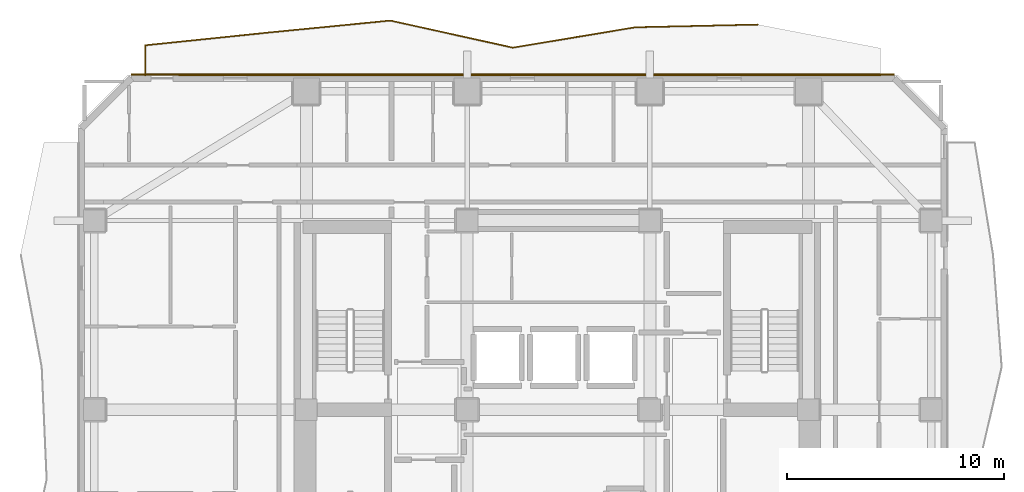
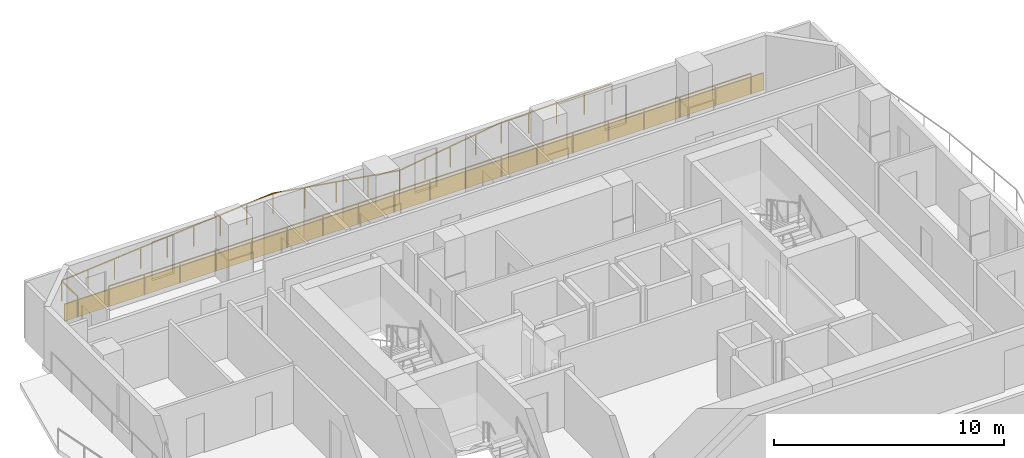
# One storey, part 11 of 11: 2 railings, 1 covering.
"""IFC4 building model written with IfcOpenShell, lengths in metres."""

import ifcopenshell
import ifcopenshell.guid

model = None  # the IFC model being written
_history = None  # IfcOwnerHistory: only IFC2X3 demands one
_inside = {}  # id of a spatial element -> (the spatial element, [elements in it])
_under = {}  # id of a project, library or spatial element -> (it, [spatial elements below it])
_declared = {}  # id of a project -> (the project, [libraries it declares])
_typed = {}  # id of a type object -> (the type object, [elements of that type])
_made_of = {}  # id of a material, layer set ... -> (it, [elements and type objects made of it])


def new_model(schema):
    """Start an empty IFC model of exactly this schema.

    Asked for "IFC4X3", IfcOpenShell would pick the latest addendum, in which some entities
    have other attributes; the version numbers below select the first issue.
    IFC2X3 requires an IfcOwnerHistory on every rooted entity: one is made here for all.
    """
    global model, _history
    if schema == "IFC4X3":
        model = ifcopenshell.file(schema_version=(4, 3, 0, 0))
    else:
        model = ifcopenshell.file(schema=schema)
    _inside.clear()
    _under.clear()
    _declared.clear()
    _typed.clear()
    _made_of.clear()
    _history = None
    if model.schema == "IFC2X3":
        org = make("IfcOrganization", Name="unknown")
        user = make(
            "IfcPersonAndOrganization",
            ThePerson=make("IfcPerson", FamilyName="unknown"),
            TheOrganization=org,
        )
        app = make(
            "IfcApplication",
            ApplicationDeveloper=org,
            Version="unknown",
            ApplicationFullName="unknown",
            ApplicationIdentifier="unknown",
        )
        _history = make(
            "IfcOwnerHistory",
            OwningUser=user,
            OwningApplication=app,
            ChangeAction="ADDED",
            CreationDate=0,
        )
    return model


def make(cls, **values):
    """One entity of the class cls with the attributes given. An attribute that is None is left unset."""
    return model.create_entity(
        cls, **{name: value for name, value in values.items() if value is not None}
    )


def rooted(cls, **values):
    """An entity with a GlobalId (a new one), such as an element, a storey or a relation."""
    return make(cls, GlobalId=ifcopenshell.guid.new(), OwnerHistory=_history, **values)


def si_unit(unit_type, name, prefix=None):
    """IfcSIUnit, for example si_unit("LENGTHUNIT", "METRE", prefix="MILLI")."""
    return make("IfcSIUnit", UnitType=unit_type, Prefix=prefix, Name=name)


def assignment(units):
    """IfcUnitAssignment: the units of a project."""
    return None if units is None else make("IfcUnitAssignment", Units=units)


def point(xyz):
    """IfcCartesianPoint."""
    return None if xyz is None else make("IfcCartesianPoint", Coordinates=xyz)


def direction(xyz):
    """IfcDirection."""
    return None if xyz is None else make("IfcDirection", DirectionRatios=xyz)


def frame(location, z_axis=None, x_axis=None):
    """IfcAxis2Placement3D, a coordinate frame: its origin and axes. An axis left out is left unset."""
    return make(
        "IfcAxis2Placement3D",
        Location=point(location),
        Axis=direction(z_axis),
        RefDirection=direction(x_axis),
    )


def frame_2d(location, x_axis=None):
    """IfcAxis2Placement2D, a coordinate frame in the plane: its origin and x axis."""
    return make(
        "IfcAxis2Placement2D", Location=point(location), RefDirection=direction(x_axis)
    )


def origin():
    """The frame at (0, 0, 0) with its axes left unset."""
    return frame((0.0, 0.0, 0.0))


def origin_2d():
    """The frame at (0, 0) in the plane with its x axis left unset."""
    return frame_2d((0.0, 0.0))


def place(relative_to, where):
    """IfcLocalPlacement: puts the frame where relative to a parent placement (None: the world)."""
    return make(
        "IfcLocalPlacement", PlacementRelTo=relative_to, RelativePlacement=where
    )


def context(
    kind, dimensions, precision=None, world=None, true_north=None, identifier=None
):
    """IfcGeometricRepresentationContext, for example the 3D "Model" context."""
    return make(
        "IfcGeometricRepresentationContext",
        ContextIdentifier=identifier,
        ContextType=kind,
        CoordinateSpaceDimension=dimensions,
        Precision=precision,
        WorldCoordinateSystem=world,
        TrueNorth=true_north,
    )


def subcontext(parent, identifier, kind, view, scale=None):
    """IfcGeometricRepresentationSubContext, for example "Body" below "Model"."""
    return make(
        "IfcGeometricRepresentationSubContext",
        ContextIdentifier=identifier,
        ContextType=kind,
        ParentContext=parent,
        TargetScale=scale,
        TargetView=view,
    )


def project(units=None, contexts=None):
    """IfcProject with its units and contexts."""
    return rooted(
        "IfcProject",
        Name="project",
        RepresentationContexts=contexts,
        UnitsInContext=assignment(units),
    )


def spatial(cls, under=None, at=None, **own):
    """A site, building, storey or space (cls), placed at a placement, below another one or the project."""
    s = rooted(cls, ObjectPlacement=at, **own)
    if under is not None:
        _under.setdefault(under.id(), (under, []))[1].append(s)
    return s


def profile(cls, at=None, kind="AREA", **sizes):
    """A parametric profile (cls). Its sizes go by their IFC names, for example OverallWidth=200.0."""
    return make(cls, ProfileType=kind, Position=at, **sizes)


def rectangle(**sizes):
    """IfcRectangleProfileDef."""
    return profile("IfcRectangleProfileDef", **sizes)


def extrude(swept, where, along, depth):
    """IfcExtrudedAreaSolid: the profile swept, set in the frame where, extruded along a direction by depth."""
    return make(
        "IfcExtrudedAreaSolid",
        SweptArea=swept,
        Position=where,
        ExtrudedDirection=direction(along),
        Depth=depth,
    )


def shape(context_of_items, identifier, shape_type, items):
    """IfcShapeRepresentation: the items that make up one representation, for example the "Body"."""
    return make(
        "IfcShapeRepresentation",
        ContextOfItems=context_of_items,
        RepresentationIdentifier=identifier,
        RepresentationType=shape_type,
        Items=items,
    )


def material(Name=None, Category=None):
    """IfcMaterial."""
    return make("IfcMaterial", Name=Name, Category=Category)


def layer(
    of_material, thickness, ventilated=None, Name=None, Category=None, Priority=None
):
    """IfcMaterialLayer: one layer of a wall or slab, of a material (None: an air gap)."""
    return make(
        "IfcMaterialLayer",
        Material=of_material,
        LayerThickness=thickness,
        IsVentilated=ventilated,
        Name=Name,
        Category=Category,
        Priority=Priority,
    )


def layer_set(layers, Name=None):
    """IfcMaterialLayerSet."""
    return make("IfcMaterialLayerSet", MaterialLayers=layers, LayerSetName=Name)


def made_of(thing, what):
    """Note that an element or type object is made of a material, layer set ...; save() writes the relation."""
    if what is not None:
        _made_of.setdefault(what.id(), (what, []))[1].append(thing)
    return thing


def type_object(cls, material=None, **own):
    """A type object (cls), such as IfcWallType, which elements share."""
    return made_of(rooted(cls, **own), material)


def element(
    cls,
    number,
    at=None,
    inside=None,
    cuts=None,
    type_object=None,
    material=None,
    context=None,
    identifier="Body",
    shape_type=None,
    held_by="IfcProductDefinitionShape",
    body=None,
    shapes=None,
    **own,
):
    """One element of the class cls, such as IfcWall. Its Tag is "e" and its number.

    at: its placement. inside: the storey or other place that contains it. cuts: it is an
    opening in that element (IfcRelVoidsElement). A single representation is given by context,
    identifier, shape_type and body (its items); several are given by shapes. held_by: the class
    of the entity that holds the representations. save() writes the other relations.
    """
    e = rooted(cls, Tag="e%d" % number, ObjectPlacement=at, **own)
    if body is not None:
        shapes = [shape(context, identifier, shape_type, body)]
    if shapes is not None:
        e.Representation = make(held_by, Representations=shapes)
    if inside is not None:
        _inside.setdefault(inside.id(), (inside, []))[1].append(e)
    if cuts is not None:
        rooted(
            "IfcRelVoidsElement", RelatingBuildingElement=cuts, RelatedOpeningElement=e
        )
    if type_object is not None:
        _typed.setdefault(type_object.id(), (type_object, []))[1].append(e)
    return made_of(e, material)


def aggregate(whole, parts):
    """IfcRelAggregates: a whole, such as a stair, and the parts it consists of."""
    return rooted("IfcRelAggregates", RelatingObject=whole, RelatedObjects=parts)


def save(model, path):
    """Write the relations noted so far, then the file.

    IfcRelAggregates (storeys below a building ...), IfcRelContainedInSpatialStructure (elements
    in a storey), IfcRelDefinesByType, IfcRelAssociatesMaterial and IfcRelDeclares: one each for
    every whole, place, type object, material and project.
    """
    for whole, parts in _under.values():
        aggregate(whole, parts)
    for where, things in _inside.values():
        rooted(
            "IfcRelContainedInSpatialStructure",
            RelatedElements=things,
            RelatingStructure=where,
        )
    for kind, things in _typed.values():
        rooted("IfcRelDefinesByType", RelatedObjects=things, RelatingType=kind)
    for what, things in _made_of.values():
        rooted("IfcRelAssociatesMaterial", RelatedObjects=things, RelatingMaterial=what)
    for by, libraries in _declared.values():
        rooted("IfcRelDeclares", RelatingContext=by, RelatedDefinitions=libraries)
    model.write(path)


model = new_model("IFC4")

# Units and contexts
model_context = context("Model", 3, precision=1e-05, world=origin(), true_north=direction((0.0, 1.0)))
body_context = subcontext(model_context, "Body", "Model", "MODEL_VIEW")
ifc_project = project(units=[si_unit("LENGTHUNIT", "METRE"), si_unit("AREAUNIT", "SQUARE_METRE"), si_unit("VOLUMEUNIT", "CUBIC_METRE"), si_unit("PLANEANGLEUNIT", "RADIAN"), si_unit("MASSUNIT", "GRAM", prefix="KILO")], contexts=[model_context])

# Site, building, storey
site_placement = place(None, origin())
site = spatial("IfcSite", under=ifc_project, at=site_placement, CompositionType="ELEMENT")
building_placement = place(site_placement, origin())
building = spatial("IfcBuilding", under=site, at=building_placement, Name="Solanera Arch Residences", CompositionType="ELEMENT")
storey_placement = place(building_placement, frame((0.0, 0.0, 116.0400390625)))
storey = spatial("IfcBuildingStorey", under=building, at=storey_placement, Name="L33", CompositionType="ELEMENT", Elevation=116.0400390625)

# Railings
ifc_material_1 = material(Name="Steel S355 (ASTM A992 / A572 Grade 50)", Category="steel")
railing_type = type_object("IfcRailingType", Name="Balustrade Railing BL-1100", PredefinedType="BALUSTRADE", material=ifc_material_1)
railing_1_placement = place(storey_placement, frame((34.1669921875, 48.4189453125, 0.0)))
element("IfcRailing", 1, at=railing_1_placement, inside=storey, type_object=railing_type, Name="L33 N Balcony Balustrade 1", PredefinedType="BALUSTRADE", context=body_context, shape_type="SweptSolid", body=[
    extrude(rectangle(XDim=0.048095703125, YDim=0.048095703125, at=origin_2d()), frame((0.0, 0.0, 1.09619140625), z_axis=(-0.999753968379, -0.022181134108, 0.0), x_axis=(0.022181134108, -0.999753968379, 0.0)), (0.0, 0.0, 1.0), 5.635498046875),
    extrude(rectangle(XDim=0.048095703125, YDim=0.048095703125, at=origin_2d()), frame((-5.634033203125, -0.125, 1.09619140625), z_axis=(-0.986445871697, -0.164086995864, 0.0), x_axis=(0.164086995864, -0.986445871697, 0.0)), (0.0, 0.0, 1.0), 5.71044921875),
    extrude(rectangle(XDim=0.048095703125, YDim=0.048095703125, at=origin_2d()), frame((-11.26708984375, -1.06201171875, 1.09619140625), z_axis=(-0.976393731491, 0.215998335885, 0.0), x_axis=(-0.215998335885, -0.976393731491, 0.0)), (0.0, 0.0, 1.0), 5.76904296875),
    extrude(rectangle(XDim=0.048095703125, YDim=0.048095703125, at=origin_2d()), frame((-16.89990234375, 0.18408203125, 1.09619140625), z_axis=(-0.995201060389, -0.097851159424, 0.0), x_axis=(0.097851159424, -0.995201060389, 0.0)), (0.0, 0.0, 1.0), 5.6611328125),
    extrude(rectangle(XDim=0.048095703125, YDim=0.048095703125, at=origin_2d()), frame((-22.533935546875, -0.369873046875, 1.09619140625), z_axis=(-0.994686771546, -0.102947688227, 0.0), x_axis=(0.102947688227, -0.994686771546, 0.0)), (0.0, 0.0, 1.0), 5.6630859375),
    extrude(rectangle(XDim=0.048095703125, YDim=0.048095703125, at=origin_2d()), frame((-28.1669921875, -0.952880859375, 1.09619140625), z_axis=(0.0, -1.0, 0.0), x_axis=(1.0, 0.0, 0.0)), (0.0, 0.0, 1.0), 1.385986328125),
    extrude(rectangle(XDim=0.0419921875, YDim=0.0419921875, at=origin_2d()), origin(), (0.0, 0.0, 1.0), 1.072021484375),
    extrude(rectangle(XDim=0.0419921875, YDim=0.0419921875, at=origin_2d()), frame((-1.408447265625, -0.03125, 0.0)), (0.0, 0.0, 1.0), 1.072021484375),
    extrude(rectangle(XDim=0.0419921875, YDim=0.0419921875, at=origin_2d()), frame((-2.81689453125, -0.0625, 0.0)), (0.0, 0.0, 1.0), 1.072021484375),
    extrude(rectangle(XDim=0.0419921875, YDim=0.0419921875, at=origin_2d()), frame((-4.2255859375, -0.09375, 0.0)), (0.0, 0.0, 1.0), 1.072021484375),
    extrude(rectangle(XDim=0.0419921875, YDim=0.0419921875, at=origin_2d()), frame((-5.634033203125, -0.125, 0.0)), (0.0, 0.0, 1.0), 1.072021484375),
    extrude(rectangle(XDim=0.0419921875, YDim=0.0419921875, at=origin_2d()), frame((-7.042236328125, -0.359375, 0.0)), (0.0, 0.0, 1.0), 1.072021484375),
    extrude(rectangle(XDim=0.0419921875, YDim=0.0419921875, at=origin_2d()), frame((-8.45068359375, -0.593505859375, 0.0)), (0.0, 0.0, 1.0), 1.072021484375),
    extrude(rectangle(XDim=0.0419921875, YDim=0.0419921875, at=origin_2d()), frame((-9.85888671875, -0.82763671875, 0.0)), (0.0, 0.0, 1.0), 1.072021484375),
    extrude(rectangle(XDim=0.0419921875, YDim=0.0419921875, at=origin_2d()), frame((-11.26708984375, -1.06201171875, 0.0)), (0.0, 0.0, 1.0), 1.072021484375),
    extrude(rectangle(XDim=0.0419921875, YDim=0.0419921875, at=origin_2d()), frame((-12.67529296875, -0.75048828125, 0.0)), (0.0, 0.0, 1.0), 1.072021484375),
    extrude(rectangle(XDim=0.0419921875, YDim=0.0419921875, at=origin_2d()), frame((-14.08349609375, -0.43896484375, 0.0)), (0.0, 0.0, 1.0), 1.072021484375),
    extrude(rectangle(XDim=0.0419921875, YDim=0.0419921875, at=origin_2d()), frame((-15.49169921875, -0.12744140625, 0.0)), (0.0, 0.0, 1.0), 1.072021484375),
    extrude(rectangle(XDim=0.0419921875, YDim=0.0419921875, at=origin_2d()), frame((-16.89990234375, 0.18408203125, 0.0)), (0.0, 0.0, 1.0), 1.072021484375),
    extrude(rectangle(XDim=0.0419921875, YDim=0.0419921875, at=origin_2d()), frame((-18.308349609375, 0.045654296875, 0.0)), (0.0, 0.0, 1.0), 1.072021484375),
    extrude(rectangle(XDim=0.0419921875, YDim=0.0419921875, at=origin_2d()), frame((-19.716796875, -0.0927734375, 0.0)), (0.0, 0.0, 1.0), 1.072021484375),
    extrude(rectangle(XDim=0.0419921875, YDim=0.0419921875, at=origin_2d()), frame((-21.12548828125, -0.2314453125, 0.0)), (0.0, 0.0, 1.0), 1.072021484375),
    extrude(rectangle(XDim=0.0419921875, YDim=0.0419921875, at=origin_2d()), frame((-22.533935546875, -0.369873046875, 0.0)), (0.0, 0.0, 1.0), 1.072021484375),
    extrude(rectangle(XDim=0.0419921875, YDim=0.0419921875, at=origin_2d()), frame((-23.942138671875, -0.515625, 0.0)), (0.0, 0.0, 1.0), 1.072021484375),
    extrude(rectangle(XDim=0.0419921875, YDim=0.0419921875, at=origin_2d()), frame((-25.3505859375, -0.661376953125, 0.0)), (0.0, 0.0, 1.0), 1.072021484375),
    extrude(rectangle(XDim=0.0419921875, YDim=0.0419921875, at=origin_2d()), frame((-26.7587890625, -0.80712890625, 0.0)), (0.0, 0.0, 1.0), 1.072021484375),
    extrude(rectangle(XDim=0.0419921875, YDim=0.0419921875, at=origin_2d()), frame((-28.1669921875, -0.952880859375, 0.0)), (0.0, 0.0, 1.0), 1.072021484375),
    extrude(rectangle(XDim=0.0419921875, YDim=0.0419921875, at=origin_2d()), frame((-28.1669921875, -2.3388671875, 0.0)), (0.0, 0.0, 1.0), 1.072021484375),
])
railing_2_placement = place(storey_placement, frame((7.55908203125, 46.080078125, 0.0)))
element("IfcRailing", 2, at=railing_2_placement, inside=storey, type_object=railing_type, Name="L33 N Balcony Balustrade 2", PredefinedType="BALUSTRADE", context=body_context, shape_type="SweptSolid", body=[
    extrude(rectangle(XDim=0.048095703125, YDim=0.048095703125, at=origin_2d()), frame((0.0, 0.0, 1.09619140625), z_axis=(1.0, 0.0, 0.0), x_axis=(0.0, 1.0, 0.0)), (0.0, 0.0, 1.0), 32.240966796875),
    extrude(rectangle(XDim=0.0419921875, YDim=0.0419921875, at=origin_2d()), origin(), (0.0, 0.0, 1.0), 1.072021484375),
    extrude(rectangle(XDim=0.0419921875, YDim=0.0419921875, at=origin_2d()), frame((1.791259765625, 0.0, 0.0)), (0.0, 0.0, 1.0), 1.072021484375),
    extrude(rectangle(XDim=0.0419921875, YDim=0.0419921875, at=origin_2d()), frame((3.582275390625, 0.0, 0.0)), (0.0, 0.0, 1.0), 1.072021484375),
    extrude(rectangle(XDim=0.0419921875, YDim=0.0419921875, at=origin_2d()), frame((5.37353515625, 0.0, 0.0)), (0.0, 0.0, 1.0), 1.072021484375),
    extrude(rectangle(XDim=0.0419921875, YDim=0.0419921875, at=origin_2d()), frame((7.16455078125, 0.0, 0.0)), (0.0, 0.0, 1.0), 1.072021484375),
    extrude(rectangle(XDim=0.0419921875, YDim=0.0419921875, at=origin_2d()), frame((8.955810546875, 0.0, 0.0)), (0.0, 0.0, 1.0), 1.072021484375),
    extrude(rectangle(XDim=0.0419921875, YDim=0.0419921875, at=origin_2d()), frame((10.7470703125, 0.0, 0.0)), (0.0, 0.0, 1.0), 1.072021484375),
    extrude(rectangle(XDim=0.0419921875, YDim=0.0419921875, at=origin_2d()), frame((12.5380859375, 0.0, 0.0)), (0.0, 0.0, 1.0), 1.072021484375),
    extrude(rectangle(XDim=0.0419921875, YDim=0.0419921875, at=origin_2d()), frame((14.329345703125, 0.0, 0.0)), (0.0, 0.0, 1.0), 1.072021484375),
    extrude(rectangle(XDim=0.0419921875, YDim=0.0419921875, at=origin_2d()), frame((16.12060546875, 0.0, 0.0)), (0.0, 0.0, 1.0), 1.072021484375),
    extrude(rectangle(XDim=0.0419921875, YDim=0.0419921875, at=origin_2d()), frame((17.91162109375, 0.0, 0.0)), (0.0, 0.0, 1.0), 1.072021484375),
    extrude(rectangle(XDim=0.0419921875, YDim=0.0419921875, at=origin_2d()), frame((19.702880859375, 0.0, 0.0)), (0.0, 0.0, 1.0), 1.072021484375),
    extrude(rectangle(XDim=0.0419921875, YDim=0.0419921875, at=origin_2d()), frame((21.493896484375, 0.0, 0.0)), (0.0, 0.0, 1.0), 1.072021484375),
    extrude(rectangle(XDim=0.0419921875, YDim=0.0419921875, at=origin_2d()), frame((23.28515625, 0.0, 0.0)), (0.0, 0.0, 1.0), 1.072021484375),
    extrude(rectangle(XDim=0.0419921875, YDim=0.0419921875, at=origin_2d()), frame((25.076416015625, 0.0, 0.0)), (0.0, 0.0, 1.0), 1.072021484375),
    extrude(rectangle(XDim=0.0419921875, YDim=0.0419921875, at=origin_2d()), frame((26.867431640625, 0.0, 0.0)), (0.0, 0.0, 1.0), 1.072021484375),
    extrude(rectangle(XDim=0.0419921875, YDim=0.0419921875, at=origin_2d()), frame((28.65869140625, 0.0, 0.0)), (0.0, 0.0, 1.0), 1.072021484375),
    extrude(rectangle(XDim=0.0419921875, YDim=0.0419921875, at=origin_2d()), frame((30.44970703125, 0.0, 0.0)), (0.0, 0.0, 1.0), 1.072021484375),
    extrude(rectangle(XDim=0.0419921875, YDim=0.0419921875, at=origin_2d()), frame((32.240966796875, 0.0, 0.0)), (0.0, 0.0, 1.0), 1.072021484375),
])

# Covering
ifc_material_2 = material(Name="Philippine Adobe Travertine Cladding", Category="masonry")
ifc_layer = layer(ifc_material_2, 0.06005859375)
ifc_layer_set = layer_set([ifc_layer], Name="Philippine Adobe Travertine Cladding")
covering_type = type_object("IfcCoveringType", Name="Precast Pier Stone Cladding CLD-60", PredefinedType="CLADDING", material=ifc_layer_set)
covering_placement = place(storey_placement, frame((5.35498046875, 46.114990234375, 0.0), z_axis=(0.0, 0.0, 1.0), x_axis=(1.0, 0.0, 0.0)))
element("IfcCovering", 3, at=covering_placement, inside=storey, type_object=covering_type, Name="L33 N Precast Spandrel Stone Band", PredefinedType="CLADDING", context=body_context, shape_type="SweptSolid", body=[
    extrude(rectangle(XDim=35.090087890625, YDim=0.06005859375, at=frame_2d((17.544921875, 0.0))), origin(), (0.0, 0.0, 1.0), 0.89990234375),
])

save(model, "model.ifc")
